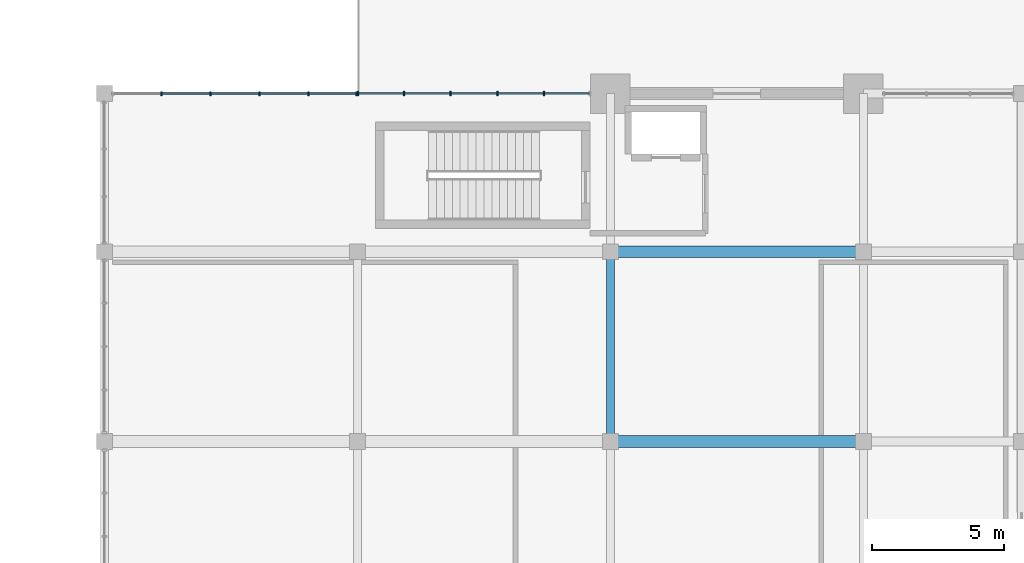
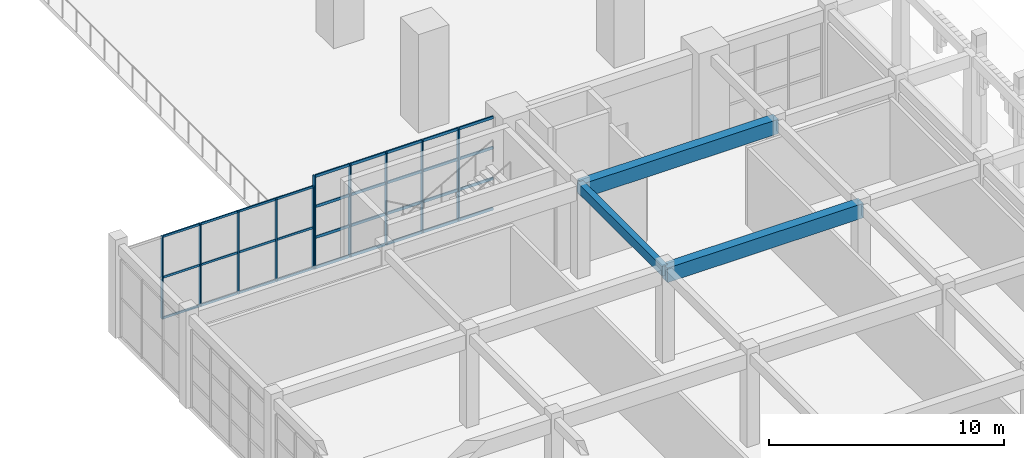
# One storey, part 19 of 72: 42 members, 3 beams, 2 elements without a shape of their own.
"""IFC4 building model written with IfcOpenShell, lengths in metres."""

import ifcopenshell
import ifcopenshell.guid

model = None  # the IFC model being written
_history = None  # IfcOwnerHistory: only IFC2X3 demands one
_inside = {}  # id of a spatial element -> (the spatial element, [elements in it])
_under = {}  # id of a project, library or spatial element -> (it, [spatial elements below it])
_declared = {}  # id of a project -> (the project, [libraries it declares])
_typed = {}  # id of a type object -> (the type object, [elements of that type])
_made_of = {}  # id of a material, layer set ... -> (it, [elements and type objects made of it])


def new_model(schema):
    """Start an empty IFC model of exactly this schema.

    Asked for "IFC4X3", IfcOpenShell would pick the latest addendum, in which some entities
    have other attributes; the version numbers below select the first issue.
    IFC2X3 requires an IfcOwnerHistory on every rooted entity: one is made here for all.
    """
    global model, _history
    if schema == "IFC4X3":
        model = ifcopenshell.file(schema_version=(4, 3, 0, 0))
    else:
        model = ifcopenshell.file(schema=schema)
    _inside.clear()
    _under.clear()
    _declared.clear()
    _typed.clear()
    _made_of.clear()
    _history = None
    if model.schema == "IFC2X3":
        org = make("IfcOrganization", Name="unknown")
        user = make(
            "IfcPersonAndOrganization",
            ThePerson=make("IfcPerson", FamilyName="unknown"),
            TheOrganization=org,
        )
        app = make(
            "IfcApplication",
            ApplicationDeveloper=org,
            Version="unknown",
            ApplicationFullName="unknown",
            ApplicationIdentifier="unknown",
        )
        _history = make(
            "IfcOwnerHistory",
            OwningUser=user,
            OwningApplication=app,
            ChangeAction="ADDED",
            CreationDate=0,
        )
    return model


def make(cls, **values):
    """One entity of the class cls with the attributes given. An attribute that is None is left unset."""
    return model.create_entity(
        cls, **{name: value for name, value in values.items() if value is not None}
    )


def rooted(cls, **values):
    """An entity with a GlobalId (a new one), such as an element, a storey or a relation."""
    return make(cls, GlobalId=ifcopenshell.guid.new(), OwnerHistory=_history, **values)


def si_unit(unit_type, name, prefix=None):
    """IfcSIUnit, for example si_unit("LENGTHUNIT", "METRE", prefix="MILLI")."""
    return make("IfcSIUnit", UnitType=unit_type, Prefix=prefix, Name=name)


def assignment(units):
    """IfcUnitAssignment: the units of a project."""
    return None if units is None else make("IfcUnitAssignment", Units=units)


def point(xyz):
    """IfcCartesianPoint."""
    return None if xyz is None else make("IfcCartesianPoint", Coordinates=xyz)


def direction(xyz):
    """IfcDirection."""
    return None if xyz is None else make("IfcDirection", DirectionRatios=xyz)


def frame(location, z_axis=None, x_axis=None):
    """IfcAxis2Placement3D, a coordinate frame: its origin and axes. An axis left out is left unset."""
    return make(
        "IfcAxis2Placement3D",
        Location=point(location),
        Axis=direction(z_axis),
        RefDirection=direction(x_axis),
    )


def frame_2d(location, x_axis=None):
    """IfcAxis2Placement2D, a coordinate frame in the plane: its origin and x axis."""
    return make(
        "IfcAxis2Placement2D", Location=point(location), RefDirection=direction(x_axis)
    )


def origin():
    """The frame at (0, 0, 0) with its axes left unset."""
    return frame((0.0, 0.0, 0.0))


def origin_2d():
    """The frame at (0, 0) in the plane with its x axis left unset."""
    return frame_2d((0.0, 0.0))


def place(relative_to, where):
    """IfcLocalPlacement: puts the frame where relative to a parent placement (None: the world)."""
    return make(
        "IfcLocalPlacement", PlacementRelTo=relative_to, RelativePlacement=where
    )


def context(
    kind, dimensions, precision=None, world=None, true_north=None, identifier=None
):
    """IfcGeometricRepresentationContext, for example the 3D "Model" context."""
    return make(
        "IfcGeometricRepresentationContext",
        ContextIdentifier=identifier,
        ContextType=kind,
        CoordinateSpaceDimension=dimensions,
        Precision=precision,
        WorldCoordinateSystem=world,
        TrueNorth=true_north,
    )


def subcontext(parent, identifier, kind, view, scale=None):
    """IfcGeometricRepresentationSubContext, for example "Body" below "Model"."""
    return make(
        "IfcGeometricRepresentationSubContext",
        ContextIdentifier=identifier,
        ContextType=kind,
        ParentContext=parent,
        TargetScale=scale,
        TargetView=view,
    )


def project(units=None, contexts=None):
    """IfcProject with its units and contexts."""
    return rooted(
        "IfcProject",
        Name="project",
        RepresentationContexts=contexts,
        UnitsInContext=assignment(units),
    )


def spatial(cls, under=None, at=None, **own):
    """A site, building, storey or space (cls), placed at a placement, below another one or the project."""
    s = rooted(cls, ObjectPlacement=at, **own)
    if under is not None:
        _under.setdefault(under.id(), (under, []))[1].append(s)
    return s


def profile(cls, at=None, kind="AREA", **sizes):
    """A parametric profile (cls). Its sizes go by their IFC names, for example OverallWidth=200.0."""
    return make(cls, ProfileType=kind, Position=at, **sizes)


def rectangle(**sizes):
    """IfcRectangleProfileDef."""
    return profile("IfcRectangleProfileDef", **sizes)


def extrude(swept, where, along, depth):
    """IfcExtrudedAreaSolid: the profile swept, set in the frame where, extruded along a direction by depth."""
    return make(
        "IfcExtrudedAreaSolid",
        SweptArea=swept,
        Position=where,
        ExtrudedDirection=direction(along),
        Depth=depth,
    )


def shape(context_of_items, identifier, shape_type, items):
    """IfcShapeRepresentation: the items that make up one representation, for example the "Body"."""
    return make(
        "IfcShapeRepresentation",
        ContextOfItems=context_of_items,
        RepresentationIdentifier=identifier,
        RepresentationType=shape_type,
        Items=items,
    )


def material(Name=None, Category=None):
    """IfcMaterial."""
    return make("IfcMaterial", Name=Name, Category=Category)


def material_profile(
    of_material, cross_section, Name=None, Category=None, Priority=None
):
    """IfcMaterialProfile: a cross section and its material."""
    return make(
        "IfcMaterialProfile",
        Name=Name,
        Material=of_material,
        Profile=cross_section,
        Priority=Priority,
        Category=Category,
    )


def profile_set(profiles, Name=None, composite=None):
    """IfcMaterialProfileSet."""
    return make(
        "IfcMaterialProfileSet",
        Name=Name,
        MaterialProfiles=profiles,
        CompositeProfile=composite,
    )


def made_of(thing, what):
    """Note that an element or type object is made of a material, layer set ...; save() writes the relation."""
    if what is not None:
        _made_of.setdefault(what.id(), (what, []))[1].append(thing)
    return thing


def type_object(cls, material=None, **own):
    """A type object (cls), such as IfcWallType, which elements share."""
    return made_of(rooted(cls, **own), material)


def element(
    cls,
    number,
    at=None,
    inside=None,
    cuts=None,
    type_object=None,
    material=None,
    context=None,
    identifier="Body",
    shape_type=None,
    held_by="IfcProductDefinitionShape",
    body=None,
    shapes=None,
    **own,
):
    """One element of the class cls, such as IfcWall. Its Tag is "e" and its number.

    at: its placement. inside: the storey or other place that contains it. cuts: it is an
    opening in that element (IfcRelVoidsElement). A single representation is given by context,
    identifier, shape_type and body (its items); several are given by shapes. held_by: the class
    of the entity that holds the representations. save() writes the other relations.
    """
    e = rooted(cls, Tag="e%d" % number, ObjectPlacement=at, **own)
    if body is not None:
        shapes = [shape(context, identifier, shape_type, body)]
    if shapes is not None:
        e.Representation = make(held_by, Representations=shapes)
    if inside is not None:
        _inside.setdefault(inside.id(), (inside, []))[1].append(e)
    if cuts is not None:
        rooted(
            "IfcRelVoidsElement", RelatingBuildingElement=cuts, RelatedOpeningElement=e
        )
    if type_object is not None:
        _typed.setdefault(type_object.id(), (type_object, []))[1].append(e)
    return made_of(e, material)


def aggregate(whole, parts):
    """IfcRelAggregates: a whole, such as a stair, and the parts it consists of."""
    return rooted("IfcRelAggregates", RelatingObject=whole, RelatedObjects=parts)


def save(model, path):
    """Write the relations noted so far, then the file.

    IfcRelAggregates (storeys below a building ...), IfcRelContainedInSpatialStructure (elements
    in a storey), IfcRelDefinesByType, IfcRelAssociatesMaterial and IfcRelDeclares: one each for
    every whole, place, type object, material and project.
    """
    for whole, parts in _under.values():
        aggregate(whole, parts)
    for where, things in _inside.values():
        rooted(
            "IfcRelContainedInSpatialStructure",
            RelatedElements=things,
            RelatingStructure=where,
        )
    for kind, things in _typed.values():
        rooted("IfcRelDefinesByType", RelatedObjects=things, RelatingType=kind)
    for what, things in _made_of.values():
        rooted("IfcRelAssociatesMaterial", RelatedObjects=things, RelatingMaterial=what)
    for by, libraries in _declared.values():
        rooted("IfcRelDeclares", RelatingContext=by, RelatedDefinitions=libraries)
    model.write(path)


model = new_model("IFC4")

# Units and contexts
model_context = context("Model", 3, precision=1e-05, world=origin(), true_north=direction((0.0, 1.0)))
body_context = subcontext(model_context, "Body", "Model", "MODEL_VIEW")
ifc_project = project(units=[si_unit("LENGTHUNIT", "METRE"), si_unit("AREAUNIT", "SQUARE_METRE"), si_unit("VOLUMEUNIT", "CUBIC_METRE"), si_unit("PLANEANGLEUNIT", "RADIAN"), si_unit("MASSUNIT", "GRAM", prefix="KILO")], contexts=[model_context])

# Site, building, storey
site_placement = place(None, origin())
site = spatial("IfcSite", under=ifc_project, at=site_placement, CompositionType="ELEMENT")
building_placement = place(site_placement, origin())
building = spatial("IfcBuilding", under=site, at=building_placement, Name="Nzembalo Square Collegiate School", CompositionType="ELEMENT")
storey_placement = place(building_placement, origin())
storey = spatial("IfcBuildingStorey", under=building, at=storey_placement, Name="L00", CompositionType="ELEMENT", Elevation=0.0)

# Beams
ifc_material_1 = material(Name="Concrete C35/45", Category="concrete")
ifc_material_profile_1 = material_profile(ifc_material_1, rectangle(XDim=0.300048828125, YDim=0.5, at=origin_2d()), Name="RC 300x500")
ifc_profile_set_1 = profile_set([ifc_material_profile_1], Name="Concrete C35/45")
beam_type_1 = type_object("IfcBeamType", Name="B02", PredefinedType="BEAM", material=ifc_profile_set_1)
beam_placement = place(storey_placement, frame((150.0, 37.199951171875, 4.5400390625), z_axis=(0.0, 1.0, 0.0), x_axis=(-1.0, 0.0, 0.0)))
element("IfcBeam", 1, at=beam_placement, inside=storey, type_object=beam_type_1, Name="Beam B02 L00", PredefinedType="BEAM", context=body_context, shape_type="SweptSolid", body=[
    extrude(rectangle(XDim=0.300048828125, YDim=0.5, at=origin_2d()), origin(), (0.0, 0.0, 1.0), 7.199951171875),
])
ifc_material_2 = material(Name="Concrete C35/45", Category="concrete")
ifc_material_profile_2 = material_profile(ifc_material_2, rectangle(XDim=0.449951171875, YDim=0.75, at=origin_2d()), Name="RC 450x750")
ifc_profile_set_2 = profile_set([ifc_material_profile_2], Name="Concrete C35/45")
beam_type_2 = type_object("IfcBeamType", Name="TG01", PredefinedType="BEAM", material=ifc_profile_set_2)
for number, where, z_axis, x_axis, name in (
    (2, (150.0, 37.199951171875, 4.4150390625), (1.0, 0.0, 0.0), (0.0, 1.0, 0.0), "Beam TG01 L00"),
    (3, (150.0, 44.39990234375, 4.4150390625), (1.0, 0.0, 0.0), (0.0, 1.0, 0.0), "Beam TG01 L00"),
):
    element("IfcBeam", number, at=place(storey_placement, frame(where, z_axis=z_axis, x_axis=x_axis)), inside=storey, type_object=beam_type_2, Name=name, PredefinedType="BEAM", context=body_context, shape_type="SweptSolid", body=[
        extrude(rectangle(XDim=0.449951171875, YDim=0.75, at=origin_2d()), origin(), (0.0, 0.0, 1.0), 9.60009765625),
    ])

# Curtain wall, members
ifc_material_3 = material(Name="Aluminium 6060-T66", Category="aluminium")
curtain_wall_type_1 = type_object("IfcCurtainWallType", Name="CW-09", PredefinedType="USERDEFINED", material=ifc_material_3)
curtain_wall_1_placement = place(storey_placement, origin())
curtain_wall_1 = element("IfcCurtainWall", 4, at=curtain_wall_1_placement, inside=storey, type_object=curtain_wall_type_1, Name="Curtain wall CW-09 cw:L00:016", ObjectType="UNITISED", PredefinedType="USERDEFINED")
ifc_material_4 = material(Name="Aluminium 6060-T66", Category="aluminium")
ifc_material_profile_3 = material_profile(ifc_material_4, rectangle(XDim=0.06005859375, YDim=0.179931640625, at=origin_2d()), Name="ALU M60x180")
ifc_profile_set_3 = profile_set([ifc_material_profile_3], Name="Aluminium 6060-T66")
member_type_1 = type_object("IfcMemberType", Name="ML01", PredefinedType="MULLION", material=ifc_profile_set_3)
member_1_placement = place(storey_placement, frame((140.429931640625, 50.39990234375, 0.0), z_axis=(0.0, 0.0, 1.0), x_axis=(1.0, 0.0, 0.0)))
member_1 = element("IfcMember", 5, at=member_1_placement, type_object=member_type_1, Name="ML01 mullion 1", PredefinedType="MULLION", context=body_context, shape_type="SweptSolid", body=[
    extrude(rectangle(XDim=0.06005859375, YDim=0.179931640625, at=origin_2d()), origin(), (0.0, 0.0, 1.0), 4.7939453125),
])
member_2_placement = place(storey_placement, frame((142.169677734375, 50.39990234375, 0.0), z_axis=(0.0, 0.0, 1.0), x_axis=(1.0, 0.0, 0.0)))
member_2 = element("IfcMember", 6, at=member_2_placement, type_object=member_type_1, Name="ML01 mullion 2", PredefinedType="MULLION", context=body_context, shape_type="SweptSolid", body=[
    extrude(rectangle(XDim=0.06005859375, YDim=0.179931640625, at=origin_2d()), origin(), (0.0, 0.0, 1.0), 4.7939453125),
])
member_3_placement = place(storey_placement, frame((143.939208984375, 50.39990234375, 0.0), z_axis=(0.0, 0.0, 1.0), x_axis=(1.0, 0.0, 0.0)))
member_3 = element("IfcMember", 7, at=member_3_placement, type_object=member_type_1, Name="ML01 mullion 3", PredefinedType="MULLION", context=body_context, shape_type="SweptSolid", body=[
    extrude(rectangle(XDim=0.06005859375, YDim=0.179931640625, at=origin_2d()), origin(), (0.0, 0.0, 1.0), 4.7939453125),
])
member_4_placement = place(storey_placement, frame((145.708740234375, 50.39990234375, 0.0), z_axis=(0.0, 0.0, 1.0), x_axis=(1.0, 0.0, 0.0)))
member_4 = element("IfcMember", 8, at=member_4_placement, type_object=member_type_1, Name="ML01 mullion 4", PredefinedType="MULLION", context=body_context, shape_type="SweptSolid", body=[
    extrude(rectangle(XDim=0.06005859375, YDim=0.179931640625, at=origin_2d()), origin(), (0.0, 0.0, 1.0), 4.7939453125),
])
member_5_placement = place(storey_placement, frame((147.478515625, 50.39990234375, 0.0), z_axis=(0.0, 0.0, 1.0), x_axis=(1.0, 0.0, 0.0)))
member_5 = element("IfcMember", 9, at=member_5_placement, type_object=member_type_1, Name="ML01 mullion 5", PredefinedType="MULLION", context=body_context, shape_type="SweptSolid", body=[
    extrude(rectangle(XDim=0.06005859375, YDim=0.179931640625, at=origin_2d()), origin(), (0.0, 0.0, 1.0), 4.7939453125),
])

ifc_material_5 = material(Name="Aluminium 6060-T66", Category="aluminium")
curtain_wall_type_2 = type_object("IfcCurtainWallType", Name="CW-12", PredefinedType="USERDEFINED", material=ifc_material_5)
curtain_wall_2_placement = place(storey_placement, origin())
curtain_wall_2 = element("IfcCurtainWall", 10, at=curtain_wall_2_placement, inside=storey, type_object=curtain_wall_type_2, Name="Curtain wall CW-12 cw:L00:015", ObjectType="LANCET", PredefinedType="USERDEFINED")
ifc_material_6 = material(Name="Aluminium 6060-T66", Category="aluminium")
ifc_material_profile_4 = material_profile(ifc_material_6, rectangle(XDim=0.06005859375, YDim=0.14990234375, at=origin_2d()), Name="ALU M60x150")
ifc_profile_set_4 = profile_set([ifc_material_profile_4], Name="Aluminium 6060-T66")
member_type_2 = type_object("IfcMemberType", Name="ML02", PredefinedType="MULLION", material=ifc_profile_set_4)
member_6_placement = place(storey_placement, frame((132.961669921875, 50.39990234375, 0.0), z_axis=(0.0, 0.0, 1.0), x_axis=(1.0, 0.0, 0.0)))
member_6 = element("IfcMember", 11, at=member_6_placement, type_object=member_type_2, Name="ML02 mullion 2", PredefinedType="MULLION", context=body_context, shape_type="SweptSolid", body=[
    extrude(rectangle(XDim=0.06005859375, YDim=0.14990234375, at=origin_2d()), origin(), (0.0, 0.0, 1.0), 4.283935546875),
])
member_7_placement = place(storey_placement, frame((134.8212890625, 50.39990234375, 0.0), z_axis=(0.0, 0.0, 1.0), x_axis=(1.0, 0.0, 0.0)))
member_7 = element("IfcMember", 12, at=member_7_placement, type_object=member_type_2, Name="ML02 mullion 3", PredefinedType="MULLION", context=body_context, shape_type="SweptSolid", body=[
    extrude(rectangle(XDim=0.06005859375, YDim=0.14990234375, at=origin_2d()), origin(), (0.0, 0.0, 1.0), 4.283935546875),
])
member_8_placement = place(storey_placement, frame((136.680908203125, 50.39990234375, 0.0), z_axis=(0.0, 0.0, 1.0), x_axis=(1.0, 0.0, 0.0)))
member_8 = element("IfcMember", 13, at=member_8_placement, type_object=member_type_2, Name="ML02 mullion 4", PredefinedType="MULLION", context=body_context, shape_type="SweptSolid", body=[
    extrude(rectangle(XDim=0.06005859375, YDim=0.14990234375, at=origin_2d()), origin(), (0.0, 0.0, 1.0), 4.283935546875),
])
member_9_placement = place(storey_placement, frame((138.540283203125, 50.39990234375, 0.0), z_axis=(0.0, 0.0, 1.0), x_axis=(1.0, 0.0, 0.0)))
member_9 = element("IfcMember", 14, at=member_9_placement, type_object=member_type_2, Name="ML02 mullion 5", PredefinedType="MULLION", context=body_context, shape_type="SweptSolid", body=[
    extrude(rectangle(XDim=0.06005859375, YDim=0.14990234375, at=origin_2d()), origin(), (0.0, 0.0, 1.0), 4.283935546875),
])
member_10_placement = place(storey_placement, frame((140.3701171875, 50.39990234375, 0.0), z_axis=(0.0, 0.0, 1.0), x_axis=(1.0, 0.0, 0.0)))
member_10 = element("IfcMember", 15, at=member_10_placement, type_object=member_type_2, Name="ML02 mullion 6", PredefinedType="MULLION", context=body_context, shape_type="SweptSolid", body=[
    extrude(rectangle(XDim=0.06005859375, YDim=0.14990234375, at=origin_2d()), origin(), (0.0, 0.0, 1.0), 4.283935546875),
])

# Member
ifc_material_7 = material(Name="Aluminium 6060-T66", Category="aluminium")
ifc_material_profile_5 = material_profile(ifc_material_7, rectangle(XDim=0.06005859375, YDim=0.139892578125, at=origin_2d()), Name="ALU T60x140")
ifc_profile_set_5 = profile_set([ifc_material_profile_5], Name="Aluminium 6060-T66")
member_type_3 = type_object("IfcMemberType", Name="TR01", PredefinedType="USERDEFINED", material=ifc_profile_set_5)
member_11_placement = place(storey_placement, frame((140.4599609375, 50.39990234375, 0.030029296875), z_axis=(1.0, 0.0, 0.0), x_axis=(0.0, 1.0, 0.0)))
member_11 = element("IfcMember", 16, at=member_11_placement, type_object=member_type_3, Name="TR01 transom 1-1", ObjectType="TRANSOM", PredefinedType="USERDEFINED", context=body_context, shape_type="SweptSolid", body=[
    extrude(rectangle(XDim=0.06005859375, YDim=0.139892578125, at=origin_2d()), origin(), (0.0, 0.0, 1.0), 1.6796875),
])

member_12_placement = place(storey_placement, frame((142.19970703125, 50.39990234375, 0.030029296875), z_axis=(1.0, 0.0, 0.0), x_axis=(0.0, 1.0, 0.0)))
member_12 = element("IfcMember", 17, at=member_12_placement, type_object=member_type_3, Name="TR01 transom 1-2", ObjectType="TRANSOM", PredefinedType="USERDEFINED", context=body_context, shape_type="SweptSolid", body=[
    extrude(rectangle(XDim=0.06005859375, YDim=0.139892578125, at=origin_2d()), origin(), (0.0, 0.0, 1.0), 1.70947265625),
])

member_13_placement = place(storey_placement, frame((143.96923828125, 50.39990234375, 0.030029296875), z_axis=(1.0, 0.0, 0.0), x_axis=(0.0, 1.0, 0.0)))
member_13 = element("IfcMember", 18, at=member_13_placement, type_object=member_type_3, Name="TR01 transom 1-3", ObjectType="TRANSOM", PredefinedType="USERDEFINED", context=body_context, shape_type="SweptSolid", body=[
    extrude(rectangle(XDim=0.06005859375, YDim=0.139892578125, at=origin_2d()), origin(), (0.0, 0.0, 1.0), 1.70947265625),
])

member_14_placement = place(storey_placement, frame((145.73876953125, 50.39990234375, 0.030029296875), z_axis=(1.0, 0.0, 0.0), x_axis=(0.0, 1.0, 0.0)))
member_14 = element("IfcMember", 19, at=member_14_placement, type_object=member_type_3, Name="TR01 transom 1-4", ObjectType="TRANSOM", PredefinedType="USERDEFINED", context=body_context, shape_type="SweptSolid", body=[
    extrude(rectangle(XDim=0.06005859375, YDim=0.139892578125, at=origin_2d()), origin(), (0.0, 0.0, 1.0), 1.709716796875),
])

member_15_placement = place(storey_placement, frame((147.50830078125, 50.39990234375, 0.030029296875), z_axis=(1.0, 0.0, 0.0), x_axis=(0.0, 1.0, 0.0)))
member_15 = element("IfcMember", 20, at=member_15_placement, type_object=member_type_3, Name="TR01 transom 1-5", ObjectType="TRANSOM", PredefinedType="USERDEFINED", context=body_context, shape_type="SweptSolid", body=[
    extrude(rectangle(XDim=0.06005859375, YDim=0.139892578125, at=origin_2d()), origin(), (0.0, 0.0, 1.0), 1.6796875),
])

member_16_placement = place(storey_placement, frame((140.4599609375, 50.39990234375, 1.597900390625), z_axis=(1.0, 0.0, 0.0), x_axis=(0.0, 1.0, 0.0)))
member_16 = element("IfcMember", 21, at=member_16_placement, type_object=member_type_3, Name="TR01 transom 2-1", ObjectType="TRANSOM", PredefinedType="USERDEFINED", context=body_context, shape_type="SweptSolid", body=[
    extrude(rectangle(XDim=0.06005859375, YDim=0.139892578125, at=origin_2d()), origin(), (0.0, 0.0, 1.0), 1.6796875),
])

member_17_placement = place(storey_placement, frame((142.19970703125, 50.39990234375, 1.597900390625), z_axis=(1.0, 0.0, 0.0), x_axis=(0.0, 1.0, 0.0)))
member_17 = element("IfcMember", 22, at=member_17_placement, type_object=member_type_3, Name="TR01 transom 2-2", ObjectType="TRANSOM", PredefinedType="USERDEFINED", context=body_context, shape_type="SweptSolid", body=[
    extrude(rectangle(XDim=0.06005859375, YDim=0.139892578125, at=origin_2d()), origin(), (0.0, 0.0, 1.0), 1.70947265625),
])

member_18_placement = place(storey_placement, frame((143.96923828125, 50.39990234375, 1.597900390625), z_axis=(1.0, 0.0, 0.0), x_axis=(0.0, 1.0, 0.0)))
member_18 = element("IfcMember", 23, at=member_18_placement, type_object=member_type_3, Name="TR01 transom 2-3", ObjectType="TRANSOM", PredefinedType="USERDEFINED", context=body_context, shape_type="SweptSolid", body=[
    extrude(rectangle(XDim=0.06005859375, YDim=0.139892578125, at=origin_2d()), origin(), (0.0, 0.0, 1.0), 1.70947265625),
])

member_19_placement = place(storey_placement, frame((145.73876953125, 50.39990234375, 1.597900390625), z_axis=(1.0, 0.0, 0.0), x_axis=(0.0, 1.0, 0.0)))
member_19 = element("IfcMember", 24, at=member_19_placement, type_object=member_type_3, Name="TR01 transom 2-4", ObjectType="TRANSOM", PredefinedType="USERDEFINED", context=body_context, shape_type="SweptSolid", body=[
    extrude(rectangle(XDim=0.06005859375, YDim=0.139892578125, at=origin_2d()), origin(), (0.0, 0.0, 1.0), 1.709716796875),
])

member_20_placement = place(storey_placement, frame((147.50830078125, 50.39990234375, 1.597900390625), z_axis=(1.0, 0.0, 0.0), x_axis=(0.0, 1.0, 0.0)))
member_20 = element("IfcMember", 25, at=member_20_placement, type_object=member_type_3, Name="TR01 transom 2-5", ObjectType="TRANSOM", PredefinedType="USERDEFINED", context=body_context, shape_type="SweptSolid", body=[
    extrude(rectangle(XDim=0.06005859375, YDim=0.139892578125, at=origin_2d()), origin(), (0.0, 0.0, 1.0), 1.6796875),
])

member_21_placement = place(storey_placement, frame((140.4599609375, 50.39990234375, 3.196044921875), z_axis=(1.0, 0.0, 0.0), x_axis=(0.0, 1.0, 0.0)))
member_21 = element("IfcMember", 26, at=member_21_placement, type_object=member_type_3, Name="TR01 transom 3-1", ObjectType="TRANSOM", PredefinedType="USERDEFINED", context=body_context, shape_type="SweptSolid", body=[
    extrude(rectangle(XDim=0.06005859375, YDim=0.139892578125, at=origin_2d()), origin(), (0.0, 0.0, 1.0), 1.6796875),
])

member_22_placement = place(storey_placement, frame((142.19970703125, 50.39990234375, 3.196044921875), z_axis=(1.0, 0.0, 0.0), x_axis=(0.0, 1.0, 0.0)))
member_22 = element("IfcMember", 27, at=member_22_placement, type_object=member_type_3, Name="TR01 transom 3-2", ObjectType="TRANSOM", PredefinedType="USERDEFINED", context=body_context, shape_type="SweptSolid", body=[
    extrude(rectangle(XDim=0.06005859375, YDim=0.139892578125, at=origin_2d()), origin(), (0.0, 0.0, 1.0), 1.70947265625),
])

member_23_placement = place(storey_placement, frame((143.96923828125, 50.39990234375, 3.196044921875), z_axis=(1.0, 0.0, 0.0), x_axis=(0.0, 1.0, 0.0)))
member_23 = element("IfcMember", 28, at=member_23_placement, type_object=member_type_3, Name="TR01 transom 3-3", ObjectType="TRANSOM", PredefinedType="USERDEFINED", context=body_context, shape_type="SweptSolid", body=[
    extrude(rectangle(XDim=0.06005859375, YDim=0.139892578125, at=origin_2d()), origin(), (0.0, 0.0, 1.0), 1.70947265625),
])

member_24_placement = place(storey_placement, frame((145.73876953125, 50.39990234375, 3.196044921875), z_axis=(1.0, 0.0, 0.0), x_axis=(0.0, 1.0, 0.0)))
member_24 = element("IfcMember", 29, at=member_24_placement, type_object=member_type_3, Name="TR01 transom 3-4", ObjectType="TRANSOM", PredefinedType="USERDEFINED", context=body_context, shape_type="SweptSolid", body=[
    extrude(rectangle(XDim=0.06005859375, YDim=0.139892578125, at=origin_2d()), origin(), (0.0, 0.0, 1.0), 1.709716796875),
])

member_25_placement = place(storey_placement, frame((147.50830078125, 50.39990234375, 3.196044921875), z_axis=(1.0, 0.0, 0.0), x_axis=(0.0, 1.0, 0.0)))
member_25 = element("IfcMember", 30, at=member_25_placement, type_object=member_type_3, Name="TR01 transom 3-5", ObjectType="TRANSOM", PredefinedType="USERDEFINED", context=body_context, shape_type="SweptSolid", body=[
    extrude(rectangle(XDim=0.06005859375, YDim=0.139892578125, at=origin_2d()), origin(), (0.0, 0.0, 1.0), 1.6796875),
])

member_26_placement = place(storey_placement, frame((140.4599609375, 50.39990234375, 4.763916015625), z_axis=(1.0, 0.0, 0.0), x_axis=(0.0, 1.0, 0.0)))
member_26 = element("IfcMember", 31, at=member_26_placement, type_object=member_type_3, Name="TR01 transom 4-1", ObjectType="TRANSOM", PredefinedType="USERDEFINED", context=body_context, shape_type="SweptSolid", body=[
    extrude(rectangle(XDim=0.06005859375, YDim=0.139892578125, at=origin_2d()), origin(), (0.0, 0.0, 1.0), 1.6796875),
])

member_27_placement = place(storey_placement, frame((142.19970703125, 50.39990234375, 4.763916015625), z_axis=(1.0, 0.0, 0.0), x_axis=(0.0, 1.0, 0.0)))
member_27 = element("IfcMember", 32, at=member_27_placement, type_object=member_type_3, Name="TR01 transom 4-2", ObjectType="TRANSOM", PredefinedType="USERDEFINED", context=body_context, shape_type="SweptSolid", body=[
    extrude(rectangle(XDim=0.06005859375, YDim=0.139892578125, at=origin_2d()), origin(), (0.0, 0.0, 1.0), 1.70947265625),
])

member_28_placement = place(storey_placement, frame((143.96923828125, 50.39990234375, 4.763916015625), z_axis=(1.0, 0.0, 0.0), x_axis=(0.0, 1.0, 0.0)))
member_28 = element("IfcMember", 33, at=member_28_placement, type_object=member_type_3, Name="TR01 transom 4-3", ObjectType="TRANSOM", PredefinedType="USERDEFINED", context=body_context, shape_type="SweptSolid", body=[
    extrude(rectangle(XDim=0.06005859375, YDim=0.139892578125, at=origin_2d()), origin(), (0.0, 0.0, 1.0), 1.70947265625),
])

member_29_placement = place(storey_placement, frame((145.73876953125, 50.39990234375, 4.763916015625), z_axis=(1.0, 0.0, 0.0), x_axis=(0.0, 1.0, 0.0)))
member_29 = element("IfcMember", 34, at=member_29_placement, type_object=member_type_3, Name="TR01 transom 4-4", ObjectType="TRANSOM", PredefinedType="USERDEFINED", context=body_context, shape_type="SweptSolid", body=[
    extrude(rectangle(XDim=0.06005859375, YDim=0.139892578125, at=origin_2d()), origin(), (0.0, 0.0, 1.0), 1.709716796875),
])

member_30_placement = place(storey_placement, frame((147.50830078125, 50.39990234375, 4.763916015625), z_axis=(1.0, 0.0, 0.0), x_axis=(0.0, 1.0, 0.0)))
member_30 = element("IfcMember", 35, at=member_30_placement, type_object=member_type_3, Name="TR01 transom 4-5", ObjectType="TRANSOM", PredefinedType="USERDEFINED", context=body_context, shape_type="SweptSolid", body=[
    extrude(rectangle(XDim=0.06005859375, YDim=0.139892578125, at=origin_2d()), origin(), (0.0, 0.0, 1.0), 1.6796875),
])

aggregate(curtain_wall_1, [member_1, member_2, member_3, member_4, member_5, member_11, member_12, member_13, member_14, member_15, member_16, member_17, member_18, member_19, member_20, member_21, member_22, member_23, member_24, member_25, member_26, member_27, member_28, member_29, member_30])

ifc_material_8 = material(Name="Aluminium 6060-T66", Category="aluminium")
ifc_material_profile_6 = material_profile(ifc_material_8, rectangle(XDim=0.06005859375, YDim=0.110107421875, at=origin_2d()), Name="ALU T60x110")
ifc_profile_set_6 = profile_set([ifc_material_profile_6], Name="Aluminium 6060-T66")
member_type_4 = type_object("IfcMemberType", Name="TR02", PredefinedType="USERDEFINED", material=ifc_profile_set_6)
member_31_placement = place(storey_placement, frame((132.99169921875, 50.39990234375, 0.030029296875), z_axis=(1.0, 0.0, 0.0), x_axis=(0.0, 1.0, 0.0)))
member_31 = element("IfcMember", 36, at=member_31_placement, type_object=member_type_4, Name="TR02 transom 1-2", ObjectType="TRANSOM", PredefinedType="USERDEFINED", context=body_context, shape_type="SweptSolid", body=[
    extrude(rectangle(XDim=0.06005859375, YDim=0.110107421875, at=origin_2d()), origin(), (0.0, 0.0, 1.0), 1.799560546875),
])

member_32_placement = place(storey_placement, frame((134.851318359375, 50.39990234375, 0.030029296875), z_axis=(1.0, 0.0, 0.0), x_axis=(0.0, 1.0, 0.0)))
member_32 = element("IfcMember", 37, at=member_32_placement, type_object=member_type_4, Name="TR02 transom 1-3", ObjectType="TRANSOM", PredefinedType="USERDEFINED", context=body_context, shape_type="SweptSolid", body=[
    extrude(rectangle(XDim=0.06005859375, YDim=0.110107421875, at=origin_2d()), origin(), (0.0, 0.0, 1.0), 1.799560546875),
])

member_33_placement = place(storey_placement, frame((136.710693359375, 50.39990234375, 0.030029296875), z_axis=(1.0, 0.0, 0.0), x_axis=(0.0, 1.0, 0.0)))
member_33 = element("IfcMember", 38, at=member_33_placement, type_object=member_type_4, Name="TR02 transom 1-4", ObjectType="TRANSOM", PredefinedType="USERDEFINED", context=body_context, shape_type="SweptSolid", body=[
    extrude(rectangle(XDim=0.06005859375, YDim=0.110107421875, at=origin_2d()), origin(), (0.0, 0.0, 1.0), 1.7998046875),
])

member_34_placement = place(storey_placement, frame((138.5703125, 50.39990234375, 0.030029296875), z_axis=(1.0, 0.0, 0.0), x_axis=(0.0, 1.0, 0.0)))
member_34 = element("IfcMember", 39, at=member_34_placement, type_object=member_type_4, Name="TR02 transom 1-5", ObjectType="TRANSOM", PredefinedType="USERDEFINED", context=body_context, shape_type="SweptSolid", body=[
    extrude(rectangle(XDim=0.06005859375, YDim=0.110107421875, at=origin_2d()), origin(), (0.0, 0.0, 1.0), 1.769775390625),
])

member_35_placement = place(storey_placement, frame((132.99169921875, 50.39990234375, 2.14208984375), z_axis=(1.0, 0.0, 0.0), x_axis=(0.0, 1.0, 0.0)))
member_35 = element("IfcMember", 40, at=member_35_placement, type_object=member_type_4, Name="TR02 transom 2-2", ObjectType="TRANSOM", PredefinedType="USERDEFINED", context=body_context, shape_type="SweptSolid", body=[
    extrude(rectangle(XDim=0.06005859375, YDim=0.110107421875, at=origin_2d()), origin(), (0.0, 0.0, 1.0), 1.799560546875),
])

member_36_placement = place(storey_placement, frame((134.851318359375, 50.39990234375, 2.14208984375), z_axis=(1.0, 0.0, 0.0), x_axis=(0.0, 1.0, 0.0)))
member_36 = element("IfcMember", 41, at=member_36_placement, type_object=member_type_4, Name="TR02 transom 2-3", ObjectType="TRANSOM", PredefinedType="USERDEFINED", context=body_context, shape_type="SweptSolid", body=[
    extrude(rectangle(XDim=0.06005859375, YDim=0.110107421875, at=origin_2d()), origin(), (0.0, 0.0, 1.0), 1.799560546875),
])

member_37_placement = place(storey_placement, frame((136.710693359375, 50.39990234375, 2.14208984375), z_axis=(1.0, 0.0, 0.0), x_axis=(0.0, 1.0, 0.0)))
member_37 = element("IfcMember", 42, at=member_37_placement, type_object=member_type_4, Name="TR02 transom 2-4", ObjectType="TRANSOM", PredefinedType="USERDEFINED", context=body_context, shape_type="SweptSolid", body=[
    extrude(rectangle(XDim=0.06005859375, YDim=0.110107421875, at=origin_2d()), origin(), (0.0, 0.0, 1.0), 1.7998046875),
])

member_38_placement = place(storey_placement, frame((138.5703125, 50.39990234375, 2.14208984375), z_axis=(1.0, 0.0, 0.0), x_axis=(0.0, 1.0, 0.0)))
member_38 = element("IfcMember", 43, at=member_38_placement, type_object=member_type_4, Name="TR02 transom 2-5", ObjectType="TRANSOM", PredefinedType="USERDEFINED", context=body_context, shape_type="SweptSolid", body=[
    extrude(rectangle(XDim=0.06005859375, YDim=0.110107421875, at=origin_2d()), origin(), (0.0, 0.0, 1.0), 1.769775390625),
])

member_39_placement = place(storey_placement, frame((132.99169921875, 50.39990234375, 4.25390625), z_axis=(1.0, 0.0, 0.0), x_axis=(0.0, 1.0, 0.0)))
member_39 = element("IfcMember", 44, at=member_39_placement, type_object=member_type_4, Name="TR02 transom 3-2", ObjectType="TRANSOM", PredefinedType="USERDEFINED", context=body_context, shape_type="SweptSolid", body=[
    extrude(rectangle(XDim=0.06005859375, YDim=0.110107421875, at=origin_2d()), origin(), (0.0, 0.0, 1.0), 1.799560546875),
])

member_40_placement = place(storey_placement, frame((134.851318359375, 50.39990234375, 4.25390625), z_axis=(1.0, 0.0, 0.0), x_axis=(0.0, 1.0, 0.0)))
member_40 = element("IfcMember", 45, at=member_40_placement, type_object=member_type_4, Name="TR02 transom 3-3", ObjectType="TRANSOM", PredefinedType="USERDEFINED", context=body_context, shape_type="SweptSolid", body=[
    extrude(rectangle(XDim=0.06005859375, YDim=0.110107421875, at=origin_2d()), origin(), (0.0, 0.0, 1.0), 1.799560546875),
])

member_41_placement = place(storey_placement, frame((136.710693359375, 50.39990234375, 4.25390625), z_axis=(1.0, 0.0, 0.0), x_axis=(0.0, 1.0, 0.0)))
member_41 = element("IfcMember", 46, at=member_41_placement, type_object=member_type_4, Name="TR02 transom 3-4", ObjectType="TRANSOM", PredefinedType="USERDEFINED", context=body_context, shape_type="SweptSolid", body=[
    extrude(rectangle(XDim=0.06005859375, YDim=0.110107421875, at=origin_2d()), origin(), (0.0, 0.0, 1.0), 1.7998046875),
])

member_42_placement = place(storey_placement, frame((138.5703125, 50.39990234375, 4.25390625), z_axis=(1.0, 0.0, 0.0), x_axis=(0.0, 1.0, 0.0)))
member_42 = element("IfcMember", 47, at=member_42_placement, type_object=member_type_4, Name="TR02 transom 3-5", ObjectType="TRANSOM", PredefinedType="USERDEFINED", context=body_context, shape_type="SweptSolid", body=[
    extrude(rectangle(XDim=0.06005859375, YDim=0.110107421875, at=origin_2d()), origin(), (0.0, 0.0, 1.0), 1.769775390625),
])

aggregate(curtain_wall_2, [member_6, member_7, member_8, member_9, member_10, member_31, member_32, member_33, member_34, member_35, member_36, member_37, member_38, member_39, member_40, member_41, member_42])

save(model, "model.ifc")
